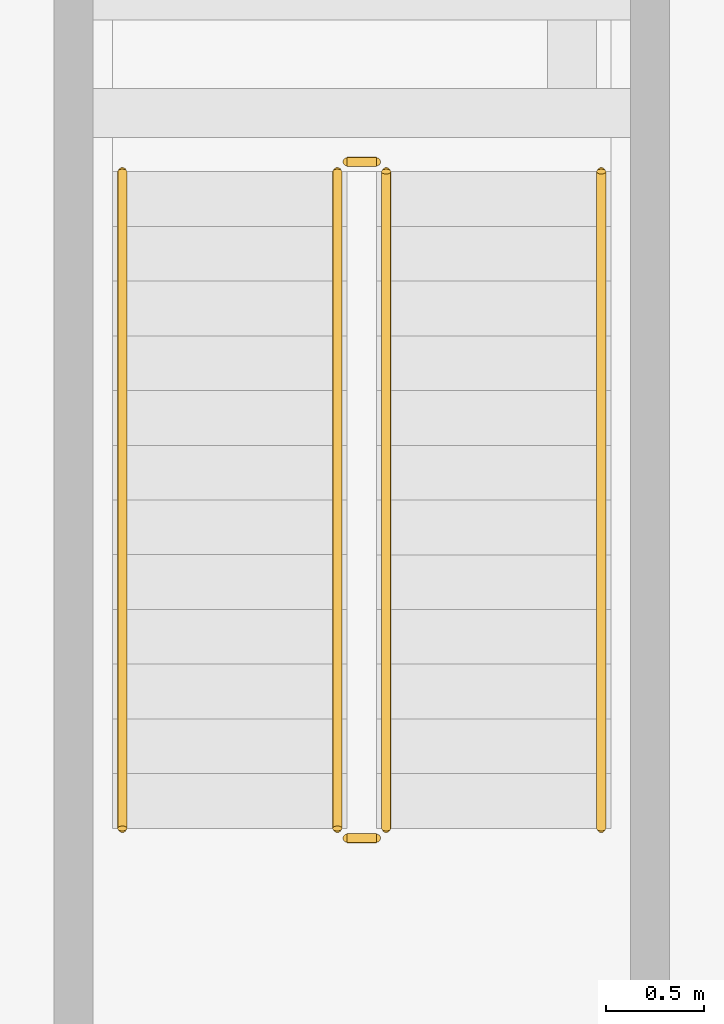
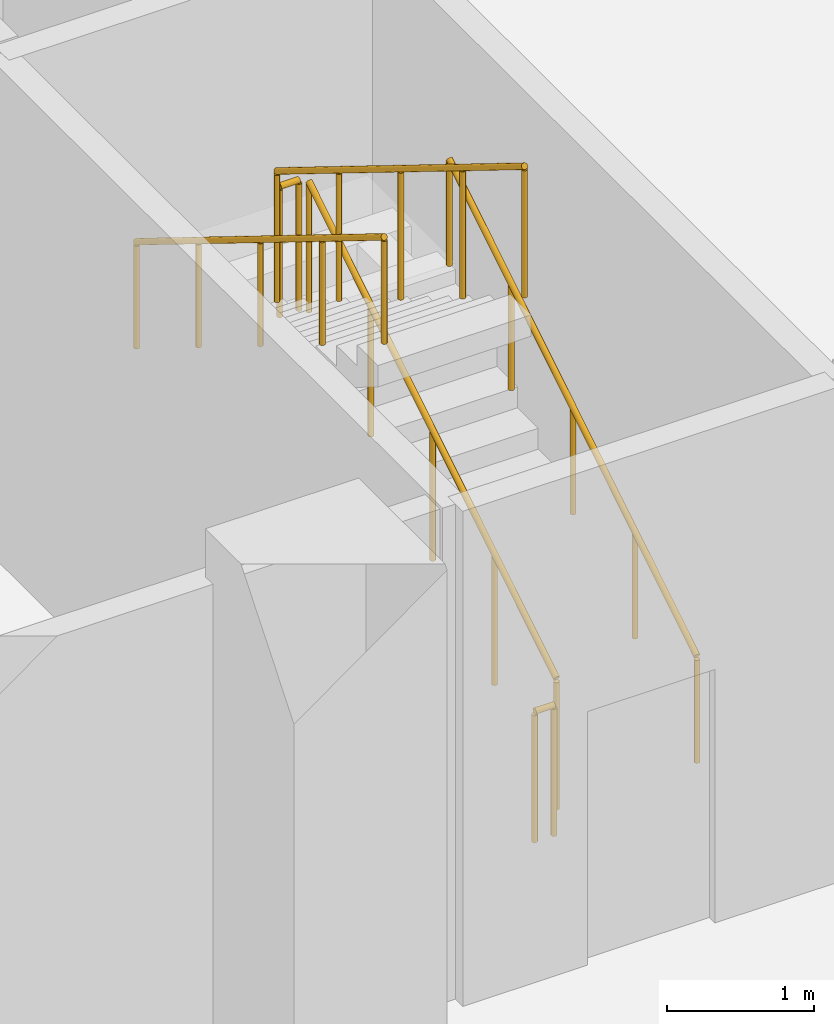
# One storey, part 35 of 39: 6 railings.
"""IFC4 building model written with IfcOpenShell, lengths in metres."""

from ifc_helpers import new_model, si_unit, direction, frame, origin, origin_2d, place, context, subcontext, project, spatial, circle, extrude, material, type_object, element, save


model = new_model("IFC4")

# Units and contexts
model_context = context("Model", 3, precision=1e-05, world=origin(), true_north=direction((0.0, 1.0)))
body_context = subcontext(model_context, "Body", "Model", "MODEL_VIEW")
ifc_project = project(units=[si_unit("LENGTHUNIT", "METRE"), si_unit("AREAUNIT", "SQUARE_METRE"), si_unit("VOLUMEUNIT", "CUBIC_METRE"), si_unit("PLANEANGLEUNIT", "RADIAN"), si_unit("MASSUNIT", "GRAM", prefix="KILO")], contexts=[model_context])

# Site, building, storey
site_placement = place(None, origin())
site = spatial("IfcSite", under=ifc_project, at=site_placement, CompositionType="ELEMENT")
building_placement = place(site_placement, origin())
building = spatial("IfcBuilding", under=site, at=building_placement, Name="Ogive Gate Towers", CompositionType="ELEMENT")
storey_placement = place(building_placement, frame((0.0, 0.0, -9.0)))
storey = spatial("IfcBuildingStorey", under=building, at=storey_placement, Name="B2", CompositionType="ELEMENT", Elevation=-9.0)

# Railings
ifc_material_1 = material(Name="Painted steel", Category="steel")
railing_type_1 = type_object("IfcRailingType", Name="Car park stair guard 1100", PredefinedType="GUARDRAIL", material=ifc_material_1)
railing_1_placement = place(storey_placement, frame((-96.10009765625, 64.89990234375, 0.173095703125)))
element("IfcRailing", 1, at=railing_1_placement, inside=storey, type_object=railing_type_1, Name="B2 CS1 stair guard 1", PredefinedType="GUARDRAIL", context=body_context, shape_type="SweptSolid", body=[
    extrude(circle(Radius=0.02392578125, at=origin_2d()), frame((0.0, 0.0, 1.076171875), z_axis=(0.0, 0.850623216509, 0.525775754039), x_axis=(-1.0, 0.0, 0.0)), (0.0, 0.0, 1.0), 3.9501953125),
    extrude(circle(Radius=0.02099609375, at=origin_2d()), origin(), (0.0, 0.0, 1.0), 1.052001953125),
    extrude(circle(Radius=0.02099609375, at=origin_2d()), frame((0.0, 0.840087890625, 0.519287109375)), (0.0, 0.0, 1.0), 1.052001953125),
    extrude(circle(Radius=0.02099609375, at=origin_2d()), frame((0.0, 1.68017578125, 1.03857421875)), (0.0, 0.0, 1.0), 1.052001953125),
    extrude(circle(Radius=0.02099609375, at=origin_2d()), frame((0.0, 2.52001953125, 1.5576171875)), (0.0, 0.0, 1.0), 1.052001953125),
    extrude(circle(Radius=0.02099609375, at=origin_2d()), frame((0.0, 3.360107421875, 2.076904296875)), (0.0, 0.0, 1.0), 1.052001953125),
])
railing_2_placement = place(storey_placement, frame((-96.14990234375, 68.31005859375, 2.25)))
element("IfcRailing", 2, at=railing_2_placement, inside=storey, type_object=railing_type_1, Name="B2 CS1 stair guard 2", PredefinedType="GUARDRAIL", context=body_context, shape_type="SweptSolid", body=[
    extrude(circle(Radius=0.02392578125, at=origin_2d()), frame((0.0, 0.0, 1.076171875), z_axis=(-1.0, 0.0, 0.0), x_axis=(0.0, -1.0, 0.0)), (0.0, 0.0, 1.0), 0.150146484375),
    extrude(circle(Radius=0.02099609375, at=origin_2d()), origin(), (0.0, 0.0, 1.0), 1.052001953125),
    extrude(circle(Radius=0.02099609375, at=origin_2d()), frame((-0.150146484375, 0.0, 0.0)), (0.0, 0.0, 1.0), 1.052001953125),
])
railing_3_placement = place(storey_placement, frame((-96.35009765625, 68.260009765625, 2.423095703125)))
element("IfcRailing", 3, at=railing_3_placement, inside=storey, type_object=railing_type_1, Name="B2 CS1 stair guard 3", PredefinedType="GUARDRAIL", context=body_context, shape_type="SweptSolid", body=[
    extrude(circle(Radius=0.02392578125, at=origin_2d()), frame((0.0, 0.0, 1.076171875), z_axis=(0.0, -0.850623216509, 0.525775754039), x_axis=(1.0, 0.0, 0.0)), (0.0, 0.0, 1.0), 3.9501953125),
    extrude(circle(Radius=0.02099609375, at=origin_2d()), origin(), (0.0, 0.0, 1.0), 1.052001953125),
    extrude(circle(Radius=0.02099609375, at=origin_2d()), frame((0.0, -0.840087890625, 0.519287109375)), (0.0, 0.0, 1.0), 1.052001953125),
    extrude(circle(Radius=0.02099609375, at=origin_2d()), frame((0.0, -1.68017578125, 1.03857421875)), (0.0, 0.0, 1.0), 1.052001953125),
    extrude(circle(Radius=0.02099609375, at=origin_2d()), frame((0.0, -2.52001953125, 1.5576171875)), (0.0, 0.0, 1.0), 1.052001953125),
    extrude(circle(Radius=0.02099609375, at=origin_2d()), frame((0.0, -3.360107421875, 2.076904296875)), (0.0, 0.0, 1.0), 1.052001953125),
])
railing_4_placement = place(storey_placement, frame((-96.14990234375, 64.85009765625, 0.0)))
element("IfcRailing", 4, at=railing_4_placement, inside=storey, type_object=railing_type_1, Name="B2 CS1 stair guard 4", PredefinedType="GUARDRAIL", context=body_context, shape_type="SweptSolid", body=[
    extrude(circle(Radius=0.02392578125, at=origin_2d()), frame((0.0, 0.0, 1.076171875), z_axis=(-1.0, 0.0, 0.0), x_axis=(0.0, -1.0, 0.0)), (0.0, 0.0, 1.0), 0.150146484375),
    extrude(circle(Radius=0.02099609375, at=origin_2d()), origin(), (0.0, 0.0, 1.0), 1.052001953125),
    extrude(circle(Radius=0.02099609375, at=origin_2d()), frame((-0.150146484375, 0.0, 0.0)), (0.0, 0.0, 1.0), 1.052001953125),
])
ifc_material_2 = material(Name="Stainless steel handrail", Category="steel")
railing_type_2 = type_object("IfcRailingType", Name="Car park stair handrail 900", PredefinedType="HANDRAIL", material=ifc_material_2)
railing_5_placement = place(storey_placement, frame((-95.0, 64.89990234375, 0.173095703125)))
element("IfcRailing", 5, at=railing_5_placement, inside=storey, type_object=railing_type_2, Name="B2 CS1 stair handrail 1", PredefinedType="HANDRAIL", context=body_context, shape_type="SweptSolid", body=[
    extrude(circle(Radius=0.02392578125, at=origin_2d()), frame((0.0, 0.0, 0.8759765625), z_axis=(0.0, 0.850623216509, 0.525775754039), x_axis=(-1.0, 0.0, 0.0)), (0.0, 0.0, 1.0), 3.9501953125),
    extrude(circle(Radius=0.02099609375, at=origin_2d()), origin(), (0.0, 0.0, 1.0), 0.851806640625),
    extrude(circle(Radius=0.02099609375, at=origin_2d()), frame((0.0, 0.840087890625, 0.519287109375)), (0.0, 0.0, 1.0), 0.851806640625),
    extrude(circle(Radius=0.02099609375, at=origin_2d()), frame((0.0, 1.68017578125, 1.03857421875)), (0.0, 0.0, 1.0), 0.851806640625),
    extrude(circle(Radius=0.02099609375, at=origin_2d()), frame((0.0, 2.52001953125, 1.5576171875)), (0.0, 0.0, 1.0), 0.851806640625),
    extrude(circle(Radius=0.02099609375, at=origin_2d()), frame((0.0, 3.360107421875, 2.076904296875)), (0.0, 0.0, 1.0), 0.851806640625),
])
railing_6_placement = place(storey_placement, frame((-97.449951171875, 68.260009765625, 2.423095703125)))
element("IfcRailing", 6, at=railing_6_placement, inside=storey, type_object=railing_type_2, Name="B2 CS1 stair handrail 2", PredefinedType="HANDRAIL", context=body_context, shape_type="SweptSolid", body=[
    extrude(circle(Radius=0.02392578125, at=origin_2d()), frame((0.0, 0.0, 0.8759765625), z_axis=(0.0, -0.850623216509, 0.525775754039), x_axis=(1.0, 0.0, 0.0)), (0.0, 0.0, 1.0), 3.9501953125),
    extrude(circle(Radius=0.02099609375, at=origin_2d()), origin(), (0.0, 0.0, 1.0), 0.851806640625),
    extrude(circle(Radius=0.02099609375, at=origin_2d()), frame((0.0, -0.840087890625, 0.519287109375)), (0.0, 0.0, 1.0), 0.851806640625),
    extrude(circle(Radius=0.02099609375, at=origin_2d()), frame((0.0, -1.68017578125, 1.03857421875)), (0.0, 0.0, 1.0), 0.851806640625),
    extrude(circle(Radius=0.02099609375, at=origin_2d()), frame((0.0, -2.52001953125, 1.5576171875)), (0.0, 0.0, 1.0), 0.851806640625),
    extrude(circle(Radius=0.02099609375, at=origin_2d()), frame((0.0, -3.360107421875, 2.076904296875)), (0.0, 0.0, 1.0), 0.851806640625),
])

save(model, "model.ifc")
